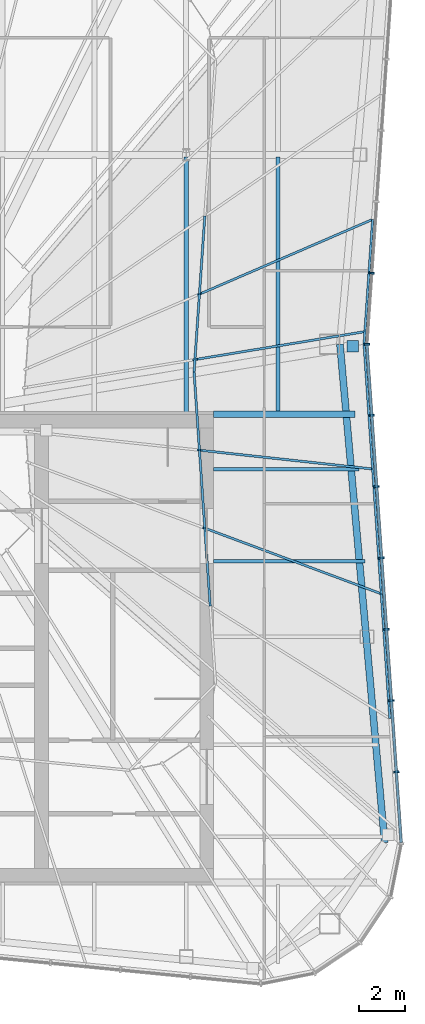
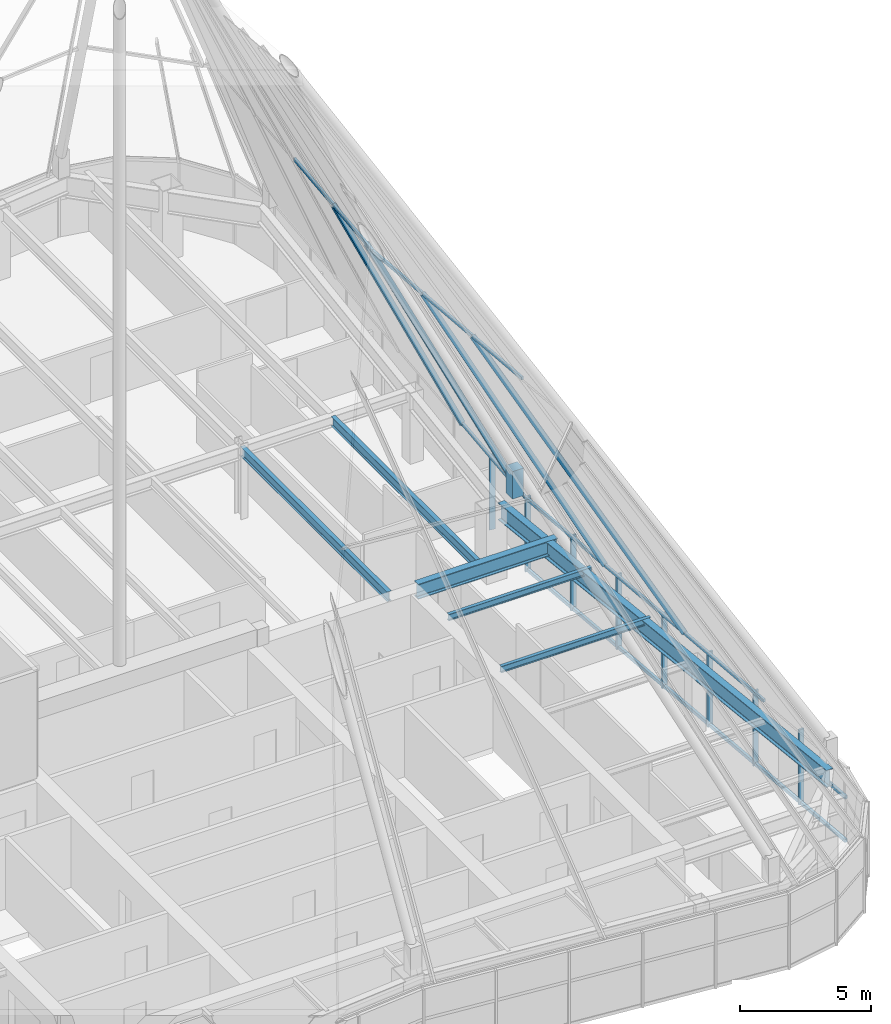
# One storey, part 11 of 28: 24 members, 6 beams, 11 elements without a shape of their own.
"""IFC4 building model written with IfcOpenShell, lengths in metres."""

from ifc_helpers import new_model, si_unit, direction, frame, origin, origin_2d, place, context, subcontext, project, spatial, rectangle, i_section, extrude, material, layer, layer_set, material_profile, profile_set, type_object, element, aggregate, save


model = new_model("IFC4")

# Units and contexts
model_context = context("Model", 3, precision=1e-05, world=origin(), true_north=direction((0.0, 1.0)))
body_context = subcontext(model_context, "Body", "Model", "MODEL_VIEW")
ifc_project = project(units=[si_unit("LENGTHUNIT", "METRE"), si_unit("AREAUNIT", "SQUARE_METRE"), si_unit("VOLUMEUNIT", "CUBIC_METRE"), si_unit("PLANEANGLEUNIT", "RADIAN"), si_unit("MASSUNIT", "GRAM", prefix="KILO")], contexts=[model_context])

# Site, building, storey
site_placement = place(None, origin())
site = spatial("IfcSite", under=ifc_project, at=site_placement, CompositionType="ELEMENT")
building_placement = place(site_placement, origin())
building = spatial("IfcBuilding", under=site, at=building_placement, Name="Verdant Reach Tower", CompositionType="ELEMENT")
storey_placement = place(building_placement, frame((0.0, 0.0, 368.0)))
storey = spatial("IfcBuildingStorey", under=building, at=storey_placement, Name="L83 Crown plant", CompositionType="ELEMENT", Elevation=368.0)

# Curtain wall, members
ifc_material_1 = material(Name="Anodised aluminium", Category="aluminium")
curtain_wall_type_1 = type_object("IfcCurtainWallType", Name="EN-CW SYSTEM PLANT", PredefinedType="NOTDEFINED", material=ifc_material_1)
curtain_wall_1_placement = place(storey_placement, origin())
curtain_wall_1 = element("IfcCurtainWall", 1, at=curtain_wall_1_placement, inside=storey, type_object=curtain_wall_type_1, Name="Curtain wall east, L83", PredefinedType="NOTDEFINED")
ifc_material_profile_1 = material_profile(ifc_material_1, rectangle(XDim=0.238037109375, YDim=0.080078125, at=origin_2d()), Name="Mullion 80x240")
ifc_profile_set_1 = profile_set([ifc_material_profile_1], Name="Anodised aluminium")
member_type_1 = type_object("IfcMemberType", Name="EN-MULLION PLANT", PredefinedType="MULLION", material=ifc_profile_set_1)
member_1_placement = place(storey_placement, frame((21.154541015625, 22.615234375, -0.35009765625), z_axis=(0.0, 0.0, 1.0), x_axis=(0.997630328423, 0.068802091615, 0.0)))
member_1 = element("IfcMember", 2, at=member_1_placement, type_object=member_type_1, Name="Mullion east face part 1 2, L83", PredefinedType="MULLION", context=body_context, shape_type="SweptSolid", body=[
    extrude(rectangle(XDim=0.238037109375, YDim=0.080078125, at=origin_2d()), origin(), (0.0, 0.0, 1.0), 3.5),
])
member_2_placement = place(storey_placement, frame((20.940185546875, 25.722412109375, -0.35009765625), z_axis=(0.0, 0.0, 1.0), x_axis=(0.997630328423, 0.068802091615, 0.0)))
member_2 = element("IfcMember", 3, at=member_2_placement, type_object=member_type_1, Name="Mullion east face part 1 3, L83", PredefinedType="MULLION", context=body_context, shape_type="SweptSolid", body=[
    extrude(rectangle(XDim=0.238037109375, YDim=0.080078125, at=origin_2d()), origin(), (0.0, 0.0, 1.0), 3.5),
])
member_3_placement = place(storey_placement, frame((20.725830078125, 28.82958984375, -0.35009765625), z_axis=(0.0, 0.0, 1.0), x_axis=(0.997630328423, 0.068802091615, 0.0)))
member_3 = element("IfcMember", 4, at=member_3_placement, type_object=member_type_1, Name="Mullion east face part 1 4, L83", PredefinedType="MULLION", context=body_context, shape_type="SweptSolid", body=[
    extrude(rectangle(XDim=0.238037109375, YDim=0.080078125, at=origin_2d()), origin(), (0.0, 0.0, 1.0), 3.5),
])
member_4_placement = place(storey_placement, frame((20.511474609375, 31.936767578125, -0.35009765625), z_axis=(0.0, 0.0, 1.0), x_axis=(0.997630328423, 0.068802091615, 0.0)))
member_4 = element("IfcMember", 5, at=member_4_placement, type_object=member_type_1, Name="Mullion east face part 1 5, L83", PredefinedType="MULLION", context=body_context, shape_type="SweptSolid", body=[
    extrude(rectangle(XDim=0.238037109375, YDim=0.080078125, at=origin_2d()), origin(), (0.0, 0.0, 1.0), 3.5),
])
member_5_placement = place(storey_placement, frame((20.29736328125, 35.0439453125, -0.35009765625), z_axis=(0.0, 0.0, 1.0), x_axis=(0.997630328423, 0.068802091615, 0.0)))
member_5 = element("IfcMember", 6, at=member_5_placement, type_object=member_type_1, Name="Mullion east face part 1 6, L83", PredefinedType="MULLION", context=body_context, shape_type="SweptSolid", body=[
    extrude(rectangle(XDim=0.238037109375, YDim=0.080078125, at=origin_2d()), origin(), (0.0, 0.0, 1.0), 3.5),
])
member_6_placement = place(storey_placement, frame((20.0830078125, 38.151123046875, -0.35009765625), z_axis=(0.0, 0.0, 1.0), x_axis=(0.997630328423, 0.068802091615, 0.0)))
member_6 = element("IfcMember", 7, at=member_6_placement, type_object=member_type_1, Name="Mullion east face part 1 7, L83", PredefinedType="MULLION", context=body_context, shape_type="SweptSolid", body=[
    extrude(rectangle(XDim=0.238037109375, YDim=0.080078125, at=origin_2d()), origin(), (0.0, 0.0, 1.0), 3.5),
])
member_7_placement = place(storey_placement, frame((19.868896484375, 41.25, -0.35009765625), z_axis=(0.0, 0.0, 1.0), x_axis=(1.0, 0.0, 0.0)))
member_7 = element("IfcMember", 8, at=member_7_placement, type_object=member_type_1, Name="Mullion east face part 2 1, L83", PredefinedType="MULLION", context=body_context, shape_type="SweptSolid", body=[
    extrude(rectangle(XDim=0.238037109375, YDim=0.080078125, at=origin_2d()), origin(), (0.0, 0.0, 1.0), 3.5),
])
member_8_placement = place(storey_placement, frame((20.0830078125, 44.348876953125, -0.35009765625), z_axis=(0.0, 0.0, 1.0), x_axis=(0.997630328423, -0.068802091615, 0.0)))
member_8 = element("IfcMember", 9, at=member_8_placement, type_object=member_type_1, Name="Mullion east face part 2 2, L83", PredefinedType="MULLION", context=body_context, shape_type="SweptSolid", body=[
    extrude(rectangle(XDim=0.238037109375, YDim=0.080078125, at=origin_2d()), origin(), (0.0, 0.0, 1.0), 3.5),
])

# Curtain wall, member
curtain_wall_type_2 = type_object("IfcCurtainWallType", Name="EN-CW SYSTEM CROWN APEX", PredefinedType="NOTDEFINED", material=ifc_material_1)
curtain_wall_2_placement = place(storey_placement, origin())
curtain_wall_2 = element("IfcCurtainWall", 10, at=curtain_wall_2_placement, inside=storey, type_object=curtain_wall_type_2, Name="Crown glazing unit east face part 1 3, level 01", PredefinedType="NOTDEFINED")
ifc_material_profile_2 = material_profile(ifc_material_1, rectangle(XDim=0.10009765625, YDim=0.239990234375, at=origin_2d()), Name="Mullion 100x240")
ifc_profile_set_2 = profile_set([ifc_material_profile_2], Name="Anodised aluminium")
member_type_2 = type_object("IfcMemberType", Name="EN-RIB MULLION CROWN", PredefinedType="MULLION", material=ifc_profile_set_2)
member_9_placement = place(storey_placement, frame((20.5, 30.375, 3.14990234375), z_axis=(-0.454613747393, 0.16909413775, 0.874490430628), x_axis=(-0.34861696519, -0.937265283461, 0.0)))
member_9 = element("IfcMember", 11, at=member_9_placement, type_object=member_type_2, Name="Crown mullion east face part 1 3, level 01", PredefinedType="MULLION", context=body_context, shape_type="SweptSolid", body=[
    extrude(rectangle(XDim=0.10009765625, YDim=0.239990234375, at=origin_2d()), origin(), (0.0, 0.0, 1.0), 16.909912109375),
])

curtain_wall_3_placement = place(storey_placement, origin())
curtain_wall_3 = element("IfcCurtainWall", 12, at=curtain_wall_3_placement, inside=storey, type_object=curtain_wall_type_2, Name="Crown glazing unit east face part 1 4, level 01", PredefinedType="NOTDEFINED")
member_10_placement = place(storey_placement, frame((20.125, 35.8125, 3.14990234375), z_axis=(-0.454020757448, 0.049350082331, 0.889623359169), x_axis=(-0.108059180768, -0.994144463069, 0.0)))
member_10 = element("IfcMember", 13, at=member_10_placement, type_object=member_type_2, Name="Crown mullion east face part 1 4, level 01", PredefinedType="MULLION", context=body_context, shape_type="SweptSolid", body=[
    extrude(rectangle(XDim=0.10009765625, YDim=0.239990234375, at=origin_2d()), origin(), (0.0, 0.0, 1.0), 16.622314453125),
])

curtain_wall_4_placement = place(storey_placement, origin())
curtain_wall_4 = element("IfcCurtainWall", 14, at=curtain_wall_4_placement, inside=storey, type_object=curtain_wall_type_2, Name="Crown glazing unit east face part 2 1, level 01", PredefinedType="NOTDEFINED")
member_11_placement = place(storey_placement, frame((19.787841796875, 41.798583984375, 3.14990234375), z_axis=(-0.446604799873, -0.073491929093, 0.891707961772), x_axis=(0.162373195455, -0.986729418533, 0.0)))
member_11 = element("IfcMember", 15, at=member_11_placement, type_object=member_type_2, Name="Crown mullion east face part 2 1, level 01", PredefinedType="MULLION", context=body_context, shape_type="SweptSolid", body=[
    extrude(rectangle(XDim=0.10009765625, YDim=0.239990234375, at=origin_2d()), origin(), (0.0, 0.0, 1.0), 16.58349609375),
])

curtain_wall_5_placement = place(storey_placement, origin())
curtain_wall_5 = element("IfcCurtainWall", 16, at=curtain_wall_5_placement, inside=storey, type_object=curtain_wall_type_2, Name="Crown glazing unit east face part 2 2, level 01", PredefinedType="NOTDEFINED")
member_12_placement = place(storey_placement, frame((20.125, 46.6875, 3.14990234375), z_axis=(-0.446067619679, -0.192557140172, 0.874039716742), x_axis=(0.396326778876, -0.918109516532, 0.0)))
member_12 = element("IfcMember", 17, at=member_12_placement, type_object=member_type_2, Name="Crown mullion east face part 2 2, level 01", PredefinedType="MULLION", context=body_context, shape_type="SweptSolid", body=[
    extrude(rectangle(XDim=0.10009765625, YDim=0.239990234375, at=origin_2d()), origin(), (0.0, 0.0, 1.0), 16.918701171875),
])
aggregate(curtain_wall_5, [member_12])

curtain_wall_6_placement = place(storey_placement, origin())
curtain_wall_6 = element("IfcCurtainWall", 18, at=curtain_wall_6_placement, inside=storey, type_object=curtain_wall_type_2, Name="Crown glazing unit east face part 1 2, level 01", PredefinedType="NOTDEFINED")
ifc_material_profile_3 = material_profile(ifc_material_1, rectangle(XDim=0.10009765625, YDim=0.139892578125, at=origin_2d()), Name="Transom 140x100")
ifc_profile_set_3 = profile_set([ifc_material_profile_3], Name="Anodised aluminium")
member_type_3 = type_object("IfcMemberType", Name="EN-TRANSOM CROWN", PredefinedType="USERDEFINED", material=ifc_profile_set_3)
member_13_placement = place(storey_placement, frame((20.875, 24.9375, 3.14990234375), z_axis=(-0.068802091615, 0.997630328423, 0.0), x_axis=(-0.997630328423, -0.068802091615, 0.0)))
member_13 = element("IfcMember", 19, at=member_13_placement, type_object=member_type_3, Name="Crown transom east face part 1 2, level 01", ObjectType="TRANSOM", PredefinedType="USERDEFINED", context=body_context, shape_type="SweptSolid", body=[
    extrude(rectangle(XDim=0.10009765625, YDim=0.139892578125, at=origin_2d()), origin(), (0.0, 0.0, 1.0), 5.450439453125),
])
aggregate(curtain_wall_6, [member_13])

# Member
member_14_placement = place(storey_placement, frame((20.5, 30.375, 3.14990234375), z_axis=(-0.068802091615, 0.997630328423, 0.0), x_axis=(-0.997630328423, -0.068802091615, 0.0)))
member_14 = element("IfcMember", 20, at=member_14_placement, type_object=member_type_3, Name="Crown transom east face part 1 3, level 01", ObjectType="TRANSOM", PredefinedType="USERDEFINED", context=body_context, shape_type="SweptSolid", body=[
    extrude(rectangle(XDim=0.10009765625, YDim=0.139892578125, at=origin_2d()), origin(), (0.0, 0.0, 1.0), 5.450439453125),
])

aggregate(curtain_wall_2, [member_9, member_14])

member_15_placement = place(storey_placement, frame((20.125, 35.8125, 3.14990234375), z_axis=(-0.068802091615, 0.997630328423, 0.0), x_axis=(-0.997630328423, -0.068802091615, 0.0)))
member_15 = element("IfcMember", 21, at=member_15_placement, type_object=member_type_3, Name="Crown transom east face part 1 4, level 01", ObjectType="TRANSOM", PredefinedType="USERDEFINED", context=body_context, shape_type="SweptSolid", body=[
    extrude(rectangle(XDim=0.10009765625, YDim=0.139892578125, at=origin_2d()), origin(), (0.0, 0.0, 1.0), 5.450439453125),
])

aggregate(curtain_wall_3, [member_10, member_15])

member_16_placement = place(storey_placement, frame((19.75, 41.25, 3.14990234375), z_axis=(0.068802091615, 0.997630328423, 0.0), x_axis=(-0.997630328423, 0.068802091615, 0.0)))
member_16 = element("IfcMember", 22, at=member_16_placement, type_object=member_type_3, Name="Crown transom east face part 2 1, level 01", ObjectType="TRANSOM", PredefinedType="USERDEFINED", context=body_context, shape_type="SweptSolid", body=[
    extrude(rectangle(XDim=0.10009765625, YDim=0.139892578125, at=origin_2d()), origin(), (0.0, 0.0, 1.0), 5.450439453125),
])

aggregate(curtain_wall_4, [member_11, member_16])

# Curtain wall, member
curtain_wall_7_placement = place(storey_placement, origin())
curtain_wall_7 = element("IfcCurtainWall", 23, at=curtain_wall_7_placement, inside=storey, type_object=curtain_wall_type_2, Name="Crown glazing unit east face part 1 2, level 02", PredefinedType="NOTDEFINED")
member_17_placement = place(storey_placement, frame((13.046875, 29.8359375, 17.9375), z_axis=(-0.068802091615, 0.997630328423, 0.0), x_axis=(-0.997630328423, -0.068802091615, 0.0)))
member_17 = element("IfcMember", 24, at=member_17_placement, type_object=member_type_3, Name="Crown transom east face part 1 2, level 02", ObjectType="TRANSOM", PredefinedType="USERDEFINED", context=body_context, shape_type="SweptSolid", body=[
    extrude(rectangle(XDim=0.10009765625, YDim=0.139892578125, at=origin_2d()), origin(), (0.0, 0.0, 1.0), 3.406494140625),
])
aggregate(curtain_wall_7, [member_17])

curtain_wall_8_placement = place(storey_placement, origin())
curtain_wall_8 = element("IfcCurtainWall", 25, at=curtain_wall_8_placement, inside=storey, type_object=curtain_wall_type_2, Name="Crown glazing unit east face part 1 3, level 02", PredefinedType="NOTDEFINED")
member_18_placement = place(storey_placement, frame((12.8125, 33.234375, 17.9375), z_axis=(-0.068802091615, 0.997630328423, 0.0), x_axis=(-0.997630328423, -0.068802091615, 0.0)))
member_18 = element("IfcMember", 26, at=member_18_placement, type_object=member_type_3, Name="Crown transom east face part 1 3, level 02", ObjectType="TRANSOM", PredefinedType="USERDEFINED", context=body_context, shape_type="SweptSolid", body=[
    extrude(rectangle(XDim=0.10009765625, YDim=0.139892578125, at=origin_2d()), origin(), (0.0, 0.0, 1.0), 3.406494140625),
])
aggregate(curtain_wall_8, [member_18])

curtain_wall_9_placement = place(storey_placement, origin())
curtain_wall_9 = element("IfcCurtainWall", 27, at=curtain_wall_9_placement, inside=storey, type_object=curtain_wall_type_2, Name="Crown glazing unit east face part 1 4, level 02", PredefinedType="NOTDEFINED")
member_19_placement = place(storey_placement, frame((12.578125, 36.6328125, 17.9375), z_axis=(-0.068802091615, 0.997630328423, 0.0), x_axis=(-0.997630328423, -0.068802091615, 0.0)))
member_19 = element("IfcMember", 28, at=member_19_placement, type_object=member_type_3, Name="Crown transom east face part 1 4, level 02", ObjectType="TRANSOM", PredefinedType="USERDEFINED", context=body_context, shape_type="SweptSolid", body=[
    extrude(rectangle(XDim=0.10009765625, YDim=0.139892578125, at=origin_2d()), origin(), (0.0, 0.0, 1.0), 3.406494140625),
])
aggregate(curtain_wall_9, [member_19])

curtain_wall_10_placement = place(storey_placement, origin())
curtain_wall_10 = element("IfcCurtainWall", 29, at=curtain_wall_10_placement, inside=storey, type_object=curtain_wall_type_2, Name="Crown glazing unit east face part 2 1, level 02", PredefinedType="NOTDEFINED")
member_20_placement = place(storey_placement, frame((12.34375, 40.03125, 17.9375), z_axis=(0.068802091615, 0.997630328423, 0.0), x_axis=(-0.997630328423, 0.068802091615, 0.0)))
member_20 = element("IfcMember", 30, at=member_20_placement, type_object=member_type_3, Name="Crown transom east face part 2 1, level 02", ObjectType="TRANSOM", PredefinedType="USERDEFINED", context=body_context, shape_type="SweptSolid", body=[
    extrude(rectangle(XDim=0.10009765625, YDim=0.139892578125, at=origin_2d()), origin(), (0.0, 0.0, 1.0), 3.406494140625),
])
aggregate(curtain_wall_10, [member_20])

curtain_wall_11_placement = place(storey_placement, origin())
curtain_wall_11 = element("IfcCurtainWall", 31, at=curtain_wall_11_placement, inside=storey, type_object=curtain_wall_type_2, Name="Crown glazing unit east face part 2 2, level 02", PredefinedType="NOTDEFINED")
member_21_placement = place(storey_placement, frame((12.578125, 43.4296875, 17.9375), z_axis=(0.068802091615, 0.997630328423, 0.0), x_axis=(-0.997630328423, 0.068802091615, 0.0)))
member_21 = element("IfcMember", 32, at=member_21_placement, type_object=member_type_3, Name="Crown transom east face part 2 2, level 02", ObjectType="TRANSOM", PredefinedType="USERDEFINED", context=body_context, shape_type="SweptSolid", body=[
    extrude(rectangle(XDim=0.10009765625, YDim=0.139892578125, at=origin_2d()), origin(), (0.0, 0.0, 1.0), 3.406494140625),
])
aggregate(curtain_wall_11, [member_21])

# Member
ifc_material_profile_4 = material_profile(ifc_material_1, rectangle(XDim=0.1201171875, YDim=0.14990234375, at=origin_2d()), Name="Transom 150x120")
ifc_profile_set_4 = profile_set([ifc_material_profile_4], Name="Anodised aluminium")
member_type_4 = type_object("IfcMemberType", Name="EN-TRANSOM PLANT", PredefinedType="USERDEFINED", material=ifc_profile_set_4)
member_22_placement = place(storey_placement, frame((21.365966796875, 19.5322265625, -0.27490234375), z_axis=(-0.068761218296, 0.997633146431, 0.0), x_axis=(-0.997633146431, -0.068761218296, 0.0)))
member_22 = element("IfcMember", 33, at=member_22_placement, type_object=member_type_4, Name="Transom east face part 1 1.1, L83", ObjectType="TRANSOM", PredefinedType="USERDEFINED", context=body_context, shape_type="SweptSolid", body=[
    extrude(rectangle(XDim=0.1201171875, YDim=0.14990234375, at=origin_2d()), origin(), (0.0, 0.0, 1.0), 21.7294921875),
])

member_23_placement = place(storey_placement, frame((21.365966796875, 19.5322265625, 1.75), z_axis=(-0.068761218296, 0.997633146431, 0.0), x_axis=(-0.997633146431, -0.068761218296, 0.0)))
member_23 = element("IfcMember", 34, at=member_23_placement, type_object=member_type_4, Name="Transom east face part 1 1.2, L83", ObjectType="TRANSOM", PredefinedType="USERDEFINED", context=body_context, shape_type="SweptSolid", body=[
    extrude(rectangle(XDim=0.1201171875, YDim=0.14990234375, at=origin_2d()), origin(), (0.0, 0.0, 1.0), 21.7294921875),
])

aggregate(curtain_wall_1, [member_1, member_2, member_3, member_4, member_5, member_6, member_22, member_23, member_7, member_8])

# Beams
ifc_material_2 = material(Name="Steel S355", Category="steel")
ifc_material_profile_5 = material_profile(ifc_material_2, i_section(OverallWidth=0.300048828125, OverallDepth=0.699951171875, WebThickness=0.01708984375, FlangeThickness=0.031982421875, FilletRadius=0.027099609375, at=origin_2d()), Name="HEB 700")
ifc_profile_set_5 = profile_set([ifc_material_profile_5], Name="Steel S355")
beam_type_1 = type_object("IfcBeamType", Name="ST-BEAM-HEB700", PredefinedType="BEAM", material=ifc_profile_set_5)
beam_1_placement = place(storey_placement, frame((13.199951171875, 38.199951171875, 2.949951171875), z_axis=(1.0, 0.0, 0.0), x_axis=(0.0, 1.0, 0.0)))
element("IfcBeam", 35, at=beam_1_placement, inside=storey, type_object=beam_type_1, Name="Trimmer beam, L83 Crown plant", PredefinedType="BEAM", context=body_context, shape_type="SweptSolid", body=[
    extrude(i_section(OverallWidth=0.300048828125, OverallDepth=0.699951171875, WebThickness=0.01708984375, FlangeThickness=0.031982421875, FilletRadius=0.027099609375, at=origin_2d()), origin(), (0.0, 0.0, 1.0), 6.158935546875),
])
ifc_material_profile_6 = material_profile(ifc_material_2, i_section(OverallWidth=0.14990234375, OverallDepth=0.300048828125, WebThickness=0.007080078125, FlangeThickness=0.0107421875, FilletRadius=0.014892578125, at=origin_2d()), Name="IPE 300")
ifc_profile_set_6 = profile_set([ifc_material_profile_6], Name="Steel S355")
beam_type_2 = type_object("IfcBeamType", Name="ST-JOIST-IPE300", PredefinedType="JOIST", material=ifc_profile_set_6)
beam_2_placement = place(storey_placement, frame((13.199951171875, 31.800048828125, 3.14990234375), z_axis=(1.0, 0.0, 0.0), x_axis=(0.0, 1.0, 0.0)))
element("IfcBeam", 36, at=beam_2_placement, inside=storey, type_object=beam_type_2, Name="Floor joist, L83 Crown plant", PredefinedType="JOIST", context=body_context, shape_type="SweptSolid", body=[
    extrude(i_section(OverallWidth=0.14990234375, OverallDepth=0.300048828125, WebThickness=0.007080078125, FlangeThickness=0.0107421875, FilletRadius=0.014892578125, at=origin_2d()), origin(), (0.0, 0.0, 1.0), 6.600341796875),
])
beam_3_placement = place(storey_placement, frame((13.199951171875, 35.800048828125, 3.14990234375), z_axis=(1.0, 0.0, 0.0), x_axis=(0.0, 1.0, 0.0)))
element("IfcBeam", 37, at=beam_3_placement, inside=storey, type_object=beam_type_2, Name="Floor joist, L83 Crown plant", PredefinedType="JOIST", context=body_context, shape_type="SweptSolid", body=[
    extrude(i_section(OverallWidth=0.14990234375, OverallDepth=0.300048828125, WebThickness=0.007080078125, FlangeThickness=0.0107421875, FilletRadius=0.014892578125, at=origin_2d()), origin(), (0.0, 0.0, 1.0), 6.324462890625),
])
ifc_material_profile_7 = material_profile(ifc_material_2, i_section(OverallWidth=0.18994140625, OverallDepth=0.449951171875, WebThickness=0.009521484375, FlangeThickness=0.0146484375, FilletRadius=0.02099609375, at=origin_2d()), Name="IPE 450")
ifc_profile_set_7 = profile_set([ifc_material_profile_7], Name="Steel S355")
beam_type_3 = type_object("IfcBeamType", Name="ST-JOIST-IPE450", PredefinedType="JOIST", material=ifc_profile_set_7)
beam_4_placement = place(storey_placement, frame((12.0, 38.199951171875, 3.074951171875), z_axis=(0.0, 1.0, 0.0), x_axis=(-1.0, 0.0, 0.0)))
element("IfcBeam", 38, at=beam_4_placement, inside=storey, type_object=beam_type_3, Name="Floor joist, L83 Crown plant", PredefinedType="JOIST", context=body_context, shape_type="SweptSolid", body=[
    extrude(i_section(OverallWidth=0.18994140625, OverallDepth=0.449951171875, WebThickness=0.009521484375, FlangeThickness=0.0146484375, FilletRadius=0.02099609375, at=origin_2d()), origin(), (0.0, 0.0, 1.0), 11.199951171875),
])
beam_5_placement = place(storey_placement, frame((16.0, 38.300048828125, 3.074951171875), z_axis=(0.0, 1.0, 0.0), x_axis=(-1.0, 0.0, 0.0)))
element("IfcBeam", 39, at=beam_5_placement, inside=storey, type_object=beam_type_3, Name="Floor joist, L83 Crown plant", PredefinedType="JOIST", context=body_context, shape_type="SweptSolid", body=[
    extrude(i_section(OverallWidth=0.18994140625, OverallDepth=0.449951171875, WebThickness=0.009521484375, FlangeThickness=0.0146484375, FilletRadius=0.02099609375, at=origin_2d()), origin(), (0.0, 0.0, 1.0), 11.099853515625),
])

# Member
ifc_material_3 = material(Name="Steel S460", Category="steel")
ifc_layer = layer(ifc_material_3, 0.5)
ifc_layer_set = layer_set([ifc_layer], Name="ST-NODE-FOOT")
member_type_5 = type_object("IfcMemberType", Name="ST-NODE-FOOT", PredefinedType="POST", material=ifc_layer_set)
member_24_placement = place(storey_placement, frame((19.24853515625, 41.16748046875, 3.5), z_axis=(0.0, 0.0, 1.0), x_axis=(1.0, 0.0, 0.0)))
element("IfcMember", 40, at=member_24_placement, inside=storey, type_object=member_type_5, Name="Crown rib foot node 3", PredefinedType="POST", context=body_context, shape_type="SweptSolid", body=[
    extrude(rectangle(XDim=0.5, YDim=0.5, at=origin_2d()), origin(), (0.0, 0.0, 1.0), 1.277587890625),
])

# Beam
ifc_material_profile_8 = material_profile(ifc_material_2, i_section(OverallWidth=0.300048828125, OverallDepth=0.800048828125, WebThickness=0.017578125, FlangeThickness=0.032958984375, FilletRadius=0.030029296875, at=origin_2d()), Name="HEB 800")
ifc_profile_set_8 = profile_set([ifc_material_profile_8], Name="Steel S355")
beam_type_4 = type_object("IfcBeamType", Name="ST-SPANDREL-HEB800", PredefinedType="SPANDREL", material=ifc_profile_set_8)
beam_6_placement = place(storey_placement, frame((18.699951171875, 41.25, 2.89990234375), z_axis=(0.089274399498, -0.996007069048, 0.0), x_axis=(0.996007069048, 0.089274399498, 0.0)))
element("IfcBeam", 41, at=beam_6_placement, inside=storey, type_object=beam_type_4, Name="Edge beam, L83 Crown plant", PredefinedType="SPANDREL", context=body_context, shape_type="SweptSolid", body=[
    extrude(i_section(OverallWidth=0.300048828125, OverallDepth=0.800048828125, WebThickness=0.017578125, FlangeThickness=0.032958984375, FilletRadius=0.030029296875, at=origin_2d()), origin(), (0.0, 0.0, 1.0), 21.798583984375),
])

save(model, "model.ifc")
